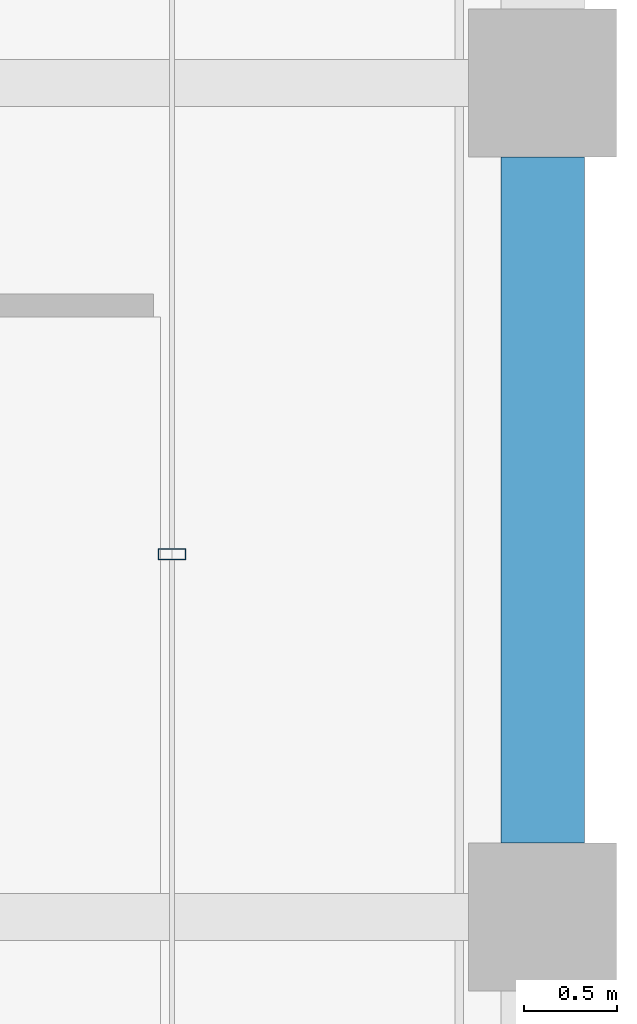
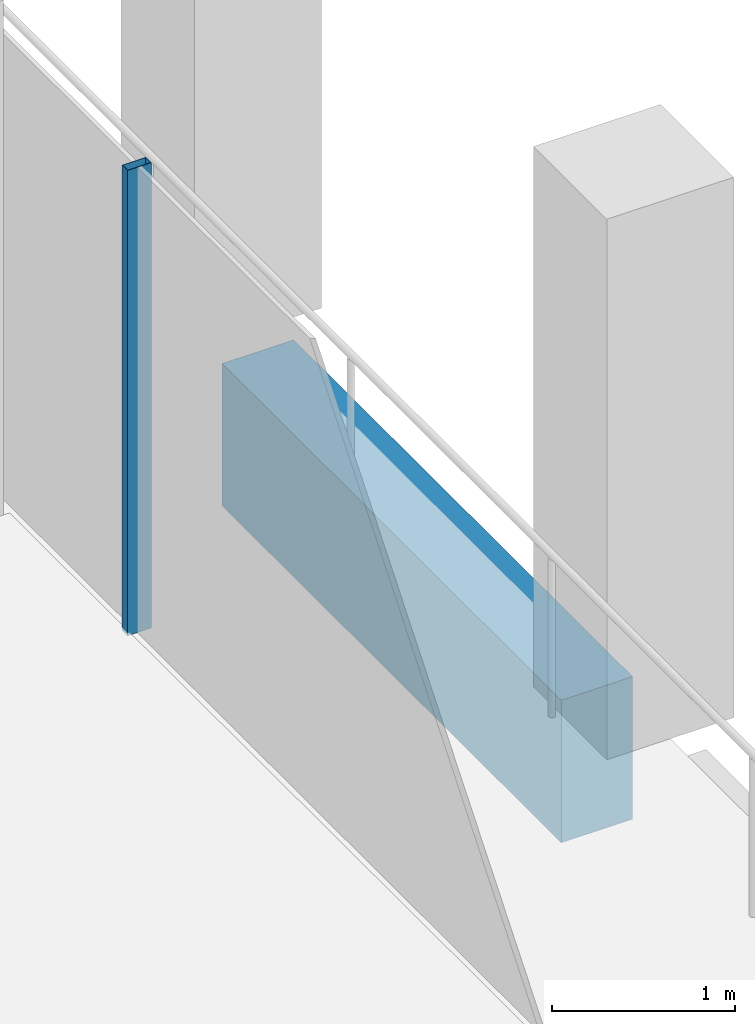
# One storey, part 17 of 30: 1 beam, 1 member, 1 element without a shape of its own.
"""IFC4 building model written with IfcOpenShell, lengths in metres."""

from ifc_helpers import new_model, si_unit, direction, frame, origin, origin_2d, place, context, subcontext, project, spatial, rectangle, hollow_rectangle, extrude, material, material_profile, profile_set, type_object, element, aggregate, save


model = new_model("IFC4")

# Units and contexts
model_context = context("Model", 3, precision=1e-05, world=origin(), true_north=direction((0.0, 1.0)))
body_context = subcontext(model_context, "Body", "Model", "MODEL_VIEW")
ifc_project = project(units=[si_unit("LENGTHUNIT", "METRE"), si_unit("AREAUNIT", "SQUARE_METRE"), si_unit("VOLUMEUNIT", "CUBIC_METRE"), si_unit("PLANEANGLEUNIT", "RADIAN"), si_unit("MASSUNIT", "GRAM", prefix="KILO")], contexts=[model_context])

# Site, building, storey
site_placement = place(None, origin())
site = spatial("IfcSite", under=ifc_project, at=site_placement, CompositionType="ELEMENT")
building_placement = place(site_placement, origin())
building = spatial("IfcBuilding", under=site, at=building_placement, Name="Altepetl Exchange Towers", CompositionType="ELEMENT")
storey_placement = place(building_placement, frame((0.0, 0.0, 238.800048828125)))
storey = spatial("IfcBuildingStorey", under=building, at=storey_placement, Name="L61", CompositionType="ELEMENT", Elevation=238.800048828125)

# Curtain wall, member
ifc_material_1 = material(Name="Aluminium 6063-T6 glazing", Category="aluminium")
curtain_wall_type = type_object("IfcCurtainWallType", Name="Loggia glazing system", PredefinedType="NOTDEFINED", material=ifc_material_1)
curtain_wall_placement = place(storey_placement, origin())
curtain_wall = element("IfcCurtainWall", 1, at=curtain_wall_placement, inside=storey, type_object=curtain_wall_type, Name="CW1 run", PredefinedType="NOTDEFINED")
ifc_material_2 = material(Name="Aluminium 6063-T6", Category="aluminium")
ifc_material_profile_1 = material_profile(ifc_material_2, hollow_rectangle(XDim=0.06005859375, YDim=0.14990234375, WallThickness=0.0029296875, at=origin_2d()), Name="Mullion 60x150 aluminium")
ifc_profile_set_1 = profile_set([ifc_material_profile_1], Name="Aluminium 6063-T6")
member_type = type_object("IfcMemberType", Name="Mullion 60x150 aluminium", PredefinedType="MULLION", material=ifc_profile_set_1)
member_placement = place(storey_placement, frame((70.0, 46.9580078125, 0.0), z_axis=(0.0, 0.0, 1.0), x_axis=(0.0, 1.0, 0.0)))
member = element("IfcMember", 2, at=member_placement, type_object=member_type, Name="MU1 mullion", PredefinedType="MULLION", context=body_context, shape_type="SweptSolid", body=[
    extrude(hollow_rectangle(XDim=0.06005859375, YDim=0.14990234375, WallThickness=0.0029296875, at=origin_2d()), origin(), (0.0, 0.0, 1.0), 3.099853515625),
])
aggregate(curtain_wall, [member])

# Beam
ifc_material_3 = material(Name="Concrete C50/60 precast with cantera amarilla facing", Category="concrete")
ifc_material_profile_2 = material_profile(ifc_material_3, rectangle(XDim=0.449951171875, YDim=0.949951171875, at=origin_2d()), Name="450 x 950")
ifc_profile_set_2 = profile_set([ifc_material_profile_2], Name="Concrete C50/60 precast with cantera amarilla facing")
beam_type = type_object("IfcBeamType", Name="Spandrel beam 450x950 cantera amarilla", PredefinedType="SPANDREL", material=ifc_profile_set_2)
beam_placement = place(storey_placement, frame((72.0, 45.39990234375, -0.625), z_axis=(0.0, 1.0, 0.0), x_axis=(-1.0, 0.0, 0.0)))
element("IfcBeam", 3, at=beam_placement, inside=storey, type_object=beam_type, Name="sp:A:L61:015", PredefinedType="SPANDREL", context=body_context, shape_type="SweptSolid", body=[
    extrude(rectangle(XDim=0.449951171875, YDim=0.949951171875, at=origin_2d()), origin(), (0.0, 0.0, 1.0), 3.7001953125),
])

save(model, "model.ifc")
